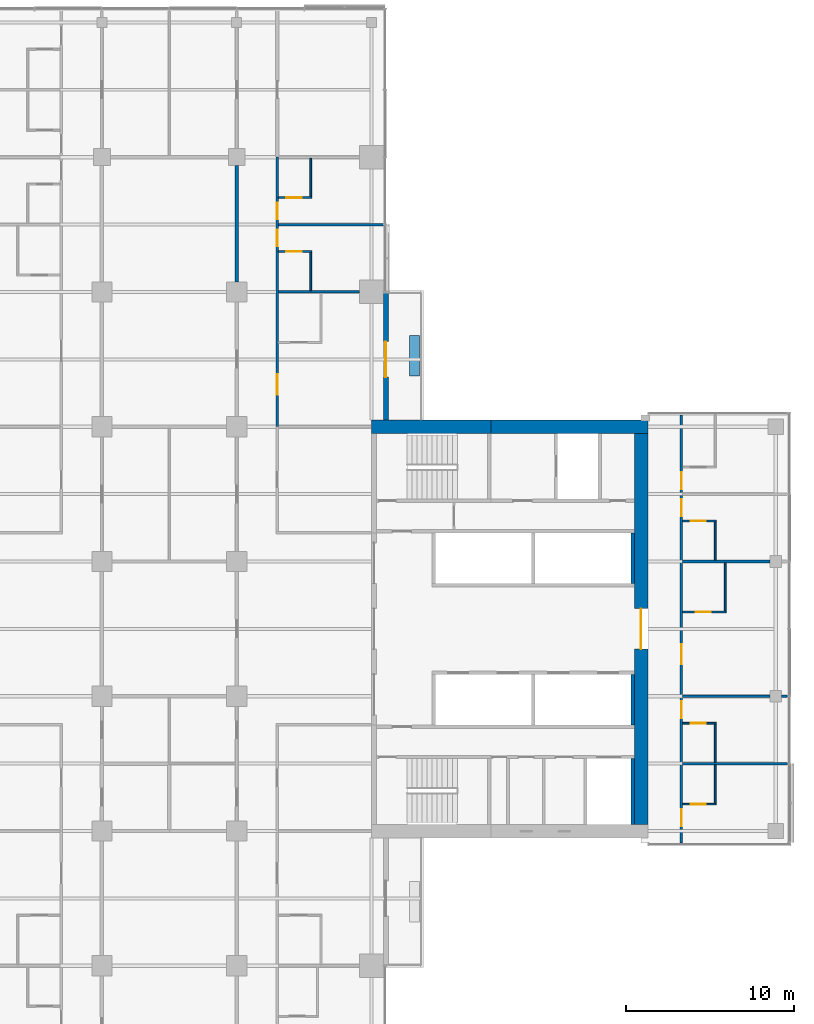
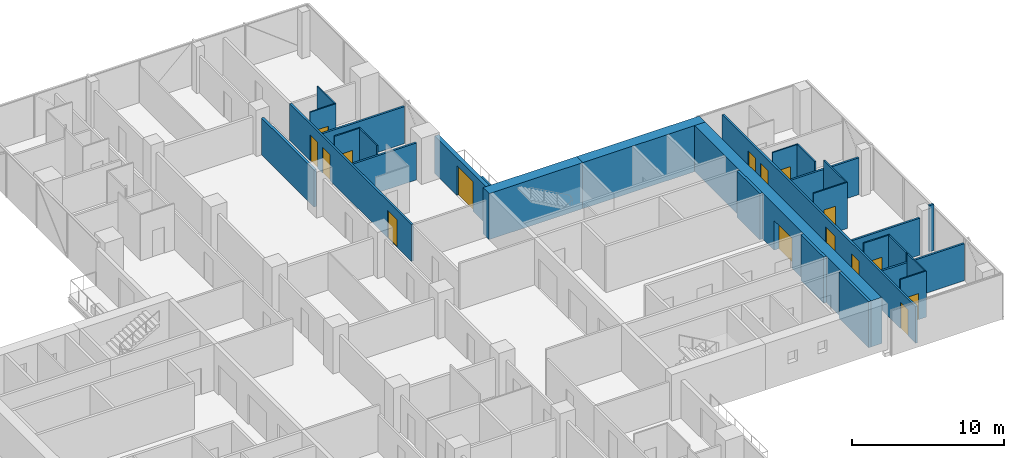
# One storey, part 21 of 27: 29 walls, 16 doors, 16 openings.
"""IFC4 building model written with IfcOpenShell, lengths in metres."""

from ifc_helpers import new_model, si_unit, direction, frame, frame_2d, origin, place, context, subcontext, project, spatial, rectangle, extrude, material, layer, layer_set, constituent, constituent_set, type_object, element, fill, save


model = new_model("IFC4")

# Units and contexts
model_context = context("Model", 3, precision=1e-05, world=origin(), true_north=direction((0.0, 1.0)))
body_context = subcontext(model_context, "Body", "Model", "MODEL_VIEW")
ifc_project = project(units=[si_unit("LENGTHUNIT", "METRE"), si_unit("AREAUNIT", "SQUARE_METRE"), si_unit("VOLUMEUNIT", "CUBIC_METRE"), si_unit("PLANEANGLEUNIT", "RADIAN"), si_unit("MASSUNIT", "GRAM", prefix="KILO")], contexts=[model_context])

# Site, building, storey
site_placement = place(None, origin())
site = spatial("IfcSite", under=ifc_project, at=site_placement, CompositionType="ELEMENT")
building_placement = place(site_placement, origin())
building = spatial("IfcBuilding", under=site, at=building_placement, Name="Crosswind Convention Tower", CompositionType="ELEMENT")
storey_placement = place(building_placement, frame((0.0, 0.0, 64.60009765625)))
storey = spatial("IfcBuildingStorey", under=building, at=storey_placement, Name="L10", CompositionType="ELEMENT", Elevation=64.60009765625)

# Wall, opening, door
ifc_material_1 = material(Name="Concrete C60/75", Category="concrete")
ifc_layer_1 = layer(ifc_material_1, 0.800048828125)
ifc_layer_set_1 = layer_set([ifc_layer_1], Name="Concrete C60/75")
wall_type_1 = type_object("IfcWallType", Name="Concrete core wall 800", PredefinedType="SHEAR", material=ifc_layer_set_1)
wall_1_placement = place(storey_placement, frame((153.0, 88.39990234375, 0.0), z_axis=(0.0, 0.0, 1.0), x_axis=(0.0, 1.0, 0.0)))
wall_1 = element("IfcWall", 1, at=wall_1_placement, inside=storey, type_object=wall_type_1, Name="Wall O E L10", PredefinedType="SHEAR", context=body_context, shape_type="SweptSolid", body=[
    extrude(rectangle(XDim=23.2001953125, YDim=0.800048828125, at=frame_2d((11.60009765625, 0.0))), origin(), (0.0, 0.0, 1.0), 3.699951171875),
])
opening_1_placement = place(wall_1_placement, frame((10.39990234375, 0.0, 0.0)))
opening_1 = element("IfcOpeningElement", 2, at=opening_1_placement, cuts=wall_1, Name="Opening D100", PredefinedType="OPENING", context=body_context, shape_type="SweptSolid", body=[
    extrude(rectangle(XDim=2.39990234375, YDim=2.39990234375, at=frame_2d((1.199951171875, 1.199951171875))), frame((0.0, 0.409912109375, 0.0), z_axis=(0.0, -1.0, 0.0), x_axis=(1.0, 0.0, 0.0)), (0.0, 0.0, 1.0), 0.820068359375),
])
ifc_material_2 = material(Name="Steel fire door with glazed vision panels", Category="steel")
door_type_1 = type_object("IfcDoorType", Name="Fire-rated double door 2400x2400", OperationType="DOUBLE_DOOR_SINGLE_SWING", PredefinedType="DOOR", material=ifc_material_2)
door_1_placement = place(opening_1_placement, origin())
door_1 = element("IfcDoor", 3, at=door_1_placement, inside=storey, type_object=door_type_1, Name="Lobby outer door L10", ObjectType="D100", OperationType="DOUBLE_DOOR_SINGLE_SWING", OverallHeight=2.39990234375, OverallWidth=2.39990234375, PredefinedType="DOOR", context=body_context, shape_type="SweptSolid", body=[
    extrude(rectangle(XDim=2.39990234375, YDim=2.39990234375, at=frame_2d((1.199951171875, 1.199951171875))), frame((0.0, 0.02490234375, 0.0), z_axis=(0.0, -1.0, 0.0), x_axis=(1.0, 0.0, 0.0)), (0.0, 0.0, 1.0), 0.050048828125),
])
fill(opening_1, door_1)

# Walls
ifc_material_3 = material(Name="Concrete C50/60", Category="concrete")
ifc_layer_2 = layer(ifc_material_3, 0.199951171875)
ifc_layer_set_2 = layer_set([ifc_layer_2], Name="Concrete C50/60")
wall_type_2 = type_object("IfcWallType", Name="Concrete shaft and stair wall 200", PredefinedType="SHEAR", material=ifc_layer_set_2)
for number, where, z_axis, x_axis, name in (
    (4, (152.5, 102.699951171875, 0.0), (0.0, 0.0, 1.0), (0.0, 1.0, 0.0), "Wall RPEAST E L10"),
    (5, (152.5, 94.300048828125, 0.0), (0.0, 0.0, 1.0), (0.0, 1.0, 0.0), "Wall RMEAST E L10"),
):
    element("IfcWall", number, at=place(storey_placement, frame(where, z_axis=z_axis, x_axis=x_axis)), inside=storey, type_object=wall_type_2, Name=name, PredefinedType="SHEAR", context=body_context, shape_type="SweptSolid", body=[
        extrude(rectangle(XDim=3.0, YDim=0.199951171875, at=frame_2d((1.5, 0.0))), origin(), (0.0, 0.0, 1.0), 3.699951171875),
    ])
wall_2_placement = place(storey_placement, frame((152.5, 88.39990234375, 0.0), z_axis=(0.0, 0.0, 1.0), x_axis=(0.0, 1.0, 0.0)))
element("IfcWall", 6, at=wall_2_placement, inside=storey, type_object=wall_type_2, Name="Wall MFSE E L10", PredefinedType="SHEAR", context=body_context, shape_type="SweptSolid", body=[
    extrude(rectangle(XDim=3.900146484375, YDim=0.199951171875, at=frame_2d((1.9501953125, 0.0))), origin(), (0.0, 0.0, 1.0), 3.699951171875),
])
ifc_material_4 = material(Name="Acoustic plasterboard partition", Category="gypsum")
ifc_layer_3 = layer(ifc_material_4, 0.14990234375)
ifc_layer_set_3 = layer_set([ifc_layer_3], Name="GUEST ROOM WALL 150")
wall_type_3 = type_object("IfcWallType", Name="GUEST ROOM WALL 150", PredefinedType="PARTITIONING", material=ifc_layer_set_3)
wall_3_placement = place(storey_placement, frame((155.47509765625, 92.0, 0.0), z_axis=(0.0, 0.0, 1.0), x_axis=(1.0, 0.0, 0.0)))
element("IfcWall", 7, at=wall_3_placement, inside=storey, type_object=wall_type_3, Name="Guest Room Wall 24", PredefinedType="PARTITIONING", context=body_context, shape_type="SweptSolid", body=[
    extrude(rectangle(XDim=6.224853515625, YDim=0.14990234375, at=frame_2d((3.1123046875, 0.0))), origin(), (0.0, 0.0, 1.0), 2.962646484375),
])
wall_4_placement = place(storey_placement, frame((155.47509765625, 96.0, 0.0), z_axis=(0.0, 0.0, 1.0), x_axis=(1.0, 0.0, 0.0)))
element("IfcWall", 8, at=wall_4_placement, inside=storey, type_object=wall_type_3, Name="Guest Room Wall 32", PredefinedType="PARTITIONING", context=body_context, shape_type="SweptSolid", body=[
    extrude(rectangle(XDim=5.1748046875, YDim=0.14990234375, at=frame_2d((2.58740234375, 0.0))), origin(), (0.0, 0.0, 1.0), 2.956298828125),
])
wall_5_placement = place(storey_placement, frame((161.35009765625, 96.0, 0.0), z_axis=(0.0, 0.0, 1.0), x_axis=(1.0, 0.0, 0.0)))
element("IfcWall", 9, at=wall_5_placement, inside=storey, type_object=wall_type_3, Name="Guest Room Wall 33", PredefinedType="PARTITIONING", context=body_context, shape_type="SweptSolid", body=[
    extrude(rectangle(XDim=0.349853515625, YDim=0.14990234375, at=frame_2d((0.1748046875, 0.0))), origin(), (0.0, 0.0, 1.0), 3.699951171875),
])
wall_6_placement = place(storey_placement, frame((155.47509765625, 104.0, 0.0), z_axis=(0.0, 0.0, 1.0), x_axis=(1.0, 0.0, 0.0)))
element("IfcWall", 10, at=wall_6_placement, inside=storey, type_object=wall_type_3, Name="Guest Room Wall 41", PredefinedType="PARTITIONING", context=body_context, shape_type="SweptSolid", body=[
    extrude(rectangle(XDim=5.1748046875, YDim=0.14990234375, at=frame_2d((2.58740234375, 0.0))), origin(), (0.0, 0.0, 1.0), 2.956298828125),
])
wall_7_placement = place(storey_placement, frame((131.47509765625, 120.0, 0.0), z_axis=(0.0, 0.0, 1.0), x_axis=(1.0, 0.0, 0.0)))
element("IfcWall", 11, at=wall_7_placement, inside=storey, type_object=wall_type_3, Name="Guest Room Wall 55", PredefinedType="PARTITIONING", context=body_context, shape_type="SweptSolid", body=[
    extrude(rectangle(XDim=4.824951171875, YDim=0.14990234375, at=frame_2d((2.41259765625, 0.0))), origin(), (0.0, 0.0, 1.0), 2.959716796875),
])
wall_8_placement = place(storey_placement, frame((131.47509765625, 124.0, 0.0), z_axis=(0.0, 0.0, 1.0), x_axis=(1.0, 0.0, 0.0)))
element("IfcWall", 12, at=wall_8_placement, inside=storey, type_object=wall_type_3, Name="Guest Room Wall 59", PredefinedType="PARTITIONING", context=body_context, shape_type="SweptSolid", body=[
    extrude(rectangle(XDim=6.224853515625, YDim=0.14990234375, at=frame_2d((3.1123046875, 0.0))), origin(), (0.0, 0.0, 1.0), 2.962646484375),
])

# Wall, openings, doors
wall_9_placement = place(storey_placement, frame((131.39990234375, 112.0, 0.0), z_axis=(0.0, 0.0, 1.0), x_axis=(0.0, 1.0, 0.0)))
wall_9 = element("IfcWall", 13, at=wall_9_placement, inside=storey, type_object=wall_type_3, Name="Guest Room Wall 118", PredefinedType="PARTITIONING", context=body_context, shape_type="SweptSolid", body=[
    extrude(rectangle(XDim=16.0, YDim=0.14990234375, at=frame_2d((8.0, 0.0))), origin(), (0.0, 0.0, 1.0), 2.956298828125),
])
opening_2_placement = place(wall_9_placement, frame((1.89990234375, 0.0, 0.0)))
opening_2 = element("IfcOpeningElement", 14, at=opening_2_placement, cuts=wall_9, Name="Opening 10.005", PredefinedType="OPENING", context=body_context, shape_type="SweptSolid", body=[
    extrude(rectangle(XDim=1.199951171875, YDim=2.199951171875, at=frame_2d((0.60009765625, 1.10009765625))), frame((0.0, 0.0849609375, 0.0), z_axis=(0.0, -1.0, 0.0), x_axis=(1.0, 0.0, 0.0)), (0.0, 0.0, 1.0), 0.169921875),
])
opening_3_placement = place(wall_9_placement, frame((10.699951171875, 0.0, 0.0)))
opening_3 = element("IfcOpeningElement", 15, at=opening_3_placement, cuts=wall_9, Name="Opening 10.007", PredefinedType="OPENING", context=body_context, shape_type="SweptSolid", body=[
    extrude(rectangle(XDim=1.0, YDim=2.10009765625, at=frame_2d((0.5, 1.050048828125))), frame((0.0, 0.0849609375, 0.0), z_axis=(0.0, -1.0, 0.0), x_axis=(1.0, 0.0, 0.0)), (0.0, 0.0, 1.0), 0.169921875),
])
opening_4_placement = place(wall_9_placement, frame((12.300048828125, 0.0, 0.0)))
opening_4 = element("IfcOpeningElement", 16, at=opening_4_placement, cuts=wall_9, Name="Opening 10.009", PredefinedType="OPENING", context=body_context, shape_type="SweptSolid", body=[
    extrude(rectangle(XDim=1.0, YDim=2.10009765625, at=frame_2d((0.5, 1.050048828125))), frame((0.0, 0.0849609375, 0.0), z_axis=(0.0, -1.0, 0.0), x_axis=(1.0, 0.0, 0.0)), (0.0, 0.0, 1.0), 0.169921875),
])
ifc_material_5 = material(Name="Timber fire door", Category="wood")
door_type_2 = type_object("IfcDoorType", Name="GUEST ROOM DOOR 1000X2100", OperationType="NOTDEFINED", PredefinedType="DOOR", material=ifc_material_5)
door_2_placement = place(opening_3_placement, frame((1.0, 0.0, 0.0), z_axis=(0.0, 0.0, 1.0), x_axis=(-1.0, 0.0, 0.0)))
door_2 = element("IfcDoor", 17, at=door_2_placement, inside=storey, type_object=door_type_2, Name="Door 10.007", ObjectType="D1", OperationType="SINGLE_SWING_LEFT", OverallHeight=2.10009765625, OverallWidth=1.0, PredefinedType="DOOR", context=body_context, shape_type="SweptSolid", body=[
    extrude(rectangle(XDim=1.0, YDim=2.10009765625, at=frame_2d((0.5, 1.050048828125))), frame((0.0, 0.02490234375, 0.0), z_axis=(0.0, -1.0, 0.0), x_axis=(1.0, 0.0, 0.0)), (0.0, 0.0, 1.0), 0.050048828125),
])
fill(opening_3, door_2)
door_3_placement = place(opening_4_placement, frame((1.0, 0.0, 0.0), z_axis=(0.0, 0.0, 1.0), x_axis=(-1.0, 0.0, 0.0)))
door_3 = element("IfcDoor", 18, at=door_3_placement, inside=storey, type_object=door_type_2, Name="Door 10.009", ObjectType="D1", OperationType="SINGLE_SWING_LEFT", OverallHeight=2.10009765625, OverallWidth=1.0, PredefinedType="DOOR", context=body_context, shape_type="SweptSolid", body=[
    extrude(rectangle(XDim=1.0, YDim=2.10009765625, at=frame_2d((0.5, 1.050048828125))), frame((0.0, 0.02490234375, 0.0), z_axis=(0.0, -1.0, 0.0), x_axis=(1.0, 0.0, 0.0)), (0.0, 0.0, 1.0), 0.050048828125),
])
fill(opening_4, door_3)
door_type_3 = type_object("IfcDoorType", Name="SUITE DOOR 1200X2200", OperationType="DOUBLE_DOOR_SINGLE_SWING", PredefinedType="DOOR", material=ifc_material_5)
door_4_placement = place(opening_2_placement, frame((1.199951171875, 0.0, 0.0), z_axis=(0.0, 0.0, 1.0), x_axis=(-1.0, 0.0, 0.0)))
door_4 = element("IfcDoor", 19, at=door_4_placement, inside=storey, type_object=door_type_3, Name="Door 10.005", ObjectType="D14", OperationType="DOUBLE_DOOR_SINGLE_SWING", OverallHeight=2.199951171875, OverallWidth=1.199951171875, PredefinedType="DOOR", context=body_context, shape_type="SweptSolid", body=[
    extrude(rectangle(XDim=1.199951171875, YDim=2.199951171875, at=frame_2d((0.60009765625, 1.10009765625))), frame((0.0, 0.02490234375, 0.0), z_axis=(0.0, -1.0, 0.0), x_axis=(1.0, 0.0, 0.0)), (0.0, 0.0, 1.0), 0.050048828125),
])
fill(opening_2, door_4)

wall_10_placement = place(storey_placement, frame((155.39990234375, 87.300048828125, 0.0), z_axis=(0.0, 0.0, 1.0), x_axis=(0.0, 1.0, 0.0)))
wall_10 = element("IfcWall", 20, at=wall_10_placement, inside=storey, type_object=wall_type_3, Name="Guest Room Wall 127", PredefinedType="PARTITIONING", context=body_context, shape_type="SweptSolid", body=[
    extrude(rectangle(XDim=25.39990234375, YDim=0.14990234375, at=frame_2d((12.699951171875, 0.0))), origin(), (0.0, 0.0, 1.0), 2.956298828125),
])
opening_5_placement = place(wall_10_placement, frame((1.0, 0.0, 0.0)))
opening_5 = element("IfcOpeningElement", 21, at=opening_5_placement, cuts=wall_10, Name="Opening 10.035", PredefinedType="OPENING", context=body_context, shape_type="SweptSolid", body=[
    extrude(rectangle(XDim=1.0, YDim=2.10009765625, at=frame_2d((0.5, 1.050048828125))), frame((0.0, 0.0849609375, 0.0), z_axis=(0.0, -1.0, 0.0), x_axis=(1.0, 0.0, 0.0)), (0.0, 0.0, 1.0), 0.169921875),
])
opening_6_placement = place(wall_10_placement, frame((7.39990234375, 0.0, 0.0)))
opening_6 = element("IfcOpeningElement", 22, at=opening_6_placement, cuts=wall_10, Name="Opening 10.037", PredefinedType="OPENING", context=body_context, shape_type="SweptSolid", body=[
    extrude(rectangle(XDim=1.0, YDim=2.10009765625, at=frame_2d((0.5, 1.050048828125))), frame((0.0, 0.0849609375, 0.0), z_axis=(0.0, -1.0, 0.0), x_axis=(1.0, 0.0, 0.0)), (0.0, 0.0, 1.0), 0.169921875),
])
opening_7_placement = place(wall_10_placement, frame((10.60009765625, 0.0, 0.0)))
opening_7 = element("IfcOpeningElement", 23, at=opening_7_placement, cuts=wall_10, Name="Opening 10.039", PredefinedType="OPENING", context=body_context, shape_type="SweptSolid", body=[
    extrude(rectangle(XDim=1.199951171875, YDim=2.199951171875, at=frame_2d((0.60009765625, 1.10009765625))), frame((0.0, 0.0849609375, 0.0), z_axis=(0.0, -1.0, 0.0), x_axis=(1.0, 0.0, 0.0)), (0.0, 0.0, 1.0), 0.169921875),
])
opening_8_placement = place(wall_10_placement, frame((19.39990234375, 0.0, 0.0)))
opening_8 = element("IfcOpeningElement", 24, at=opening_8_placement, cuts=wall_10, Name="Opening 10.041", PredefinedType="OPENING", context=body_context, shape_type="SweptSolid", body=[
    extrude(rectangle(XDim=1.0, YDim=2.10009765625, at=frame_2d((0.5, 1.050048828125))), frame((0.0, 0.0849609375, 0.0), z_axis=(0.0, -1.0, 0.0), x_axis=(1.0, 0.0, 0.0)), (0.0, 0.0, 1.0), 0.169921875),
])
opening_9_placement = place(wall_10_placement, frame((21.0, 0.0, 0.0)))
opening_9 = element("IfcOpeningElement", 25, at=opening_9_placement, cuts=wall_10, Name="Opening 10.043", PredefinedType="OPENING", context=body_context, shape_type="SweptSolid", body=[
    extrude(rectangle(XDim=1.0, YDim=2.10009765625, at=frame_2d((0.5, 1.050048828125))), frame((0.0, 0.0849609375, 0.0), z_axis=(0.0, -1.0, 0.0), x_axis=(1.0, 0.0, 0.0)), (0.0, 0.0, 1.0), 0.169921875),
])
door_5_placement = place(opening_5_placement, frame((1.0, 0.0, 0.0), z_axis=(0.0, 0.0, 1.0), x_axis=(-1.0, 0.0, 0.0)))
door_5 = element("IfcDoor", 26, at=door_5_placement, inside=storey, type_object=door_type_2, Name="Door 10.035", ObjectType="D1", OperationType="SINGLE_SWING_LEFT", OverallHeight=2.10009765625, OverallWidth=1.0, PredefinedType="DOOR", context=body_context, shape_type="SweptSolid", body=[
    extrude(rectangle(XDim=1.0, YDim=2.10009765625, at=frame_2d((0.5, 1.050048828125))), frame((0.0, 0.02490234375, 0.0), z_axis=(0.0, -1.0, 0.0), x_axis=(1.0, 0.0, 0.0)), (0.0, 0.0, 1.0), 0.050048828125),
])
fill(opening_5, door_5)
door_6_placement = place(opening_6_placement, frame((1.0, 0.0, 0.0), z_axis=(0.0, 0.0, 1.0), x_axis=(-1.0, 0.0, 0.0)))
door_6 = element("IfcDoor", 27, at=door_6_placement, inside=storey, type_object=door_type_2, Name="Door 10.037", ObjectType="D1", OperationType="SINGLE_SWING_LEFT", OverallHeight=2.10009765625, OverallWidth=1.0, PredefinedType="DOOR", context=body_context, shape_type="SweptSolid", body=[
    extrude(rectangle(XDim=1.0, YDim=2.10009765625, at=frame_2d((0.5, 1.050048828125))), frame((0.0, 0.02490234375, 0.0), z_axis=(0.0, -1.0, 0.0), x_axis=(1.0, 0.0, 0.0)), (0.0, 0.0, 1.0), 0.050048828125),
])
fill(opening_6, door_6)
door_7_placement = place(opening_8_placement, frame((1.0, 0.0, 0.0), z_axis=(0.0, 0.0, 1.0), x_axis=(-1.0, 0.0, 0.0)))
door_7 = element("IfcDoor", 28, at=door_7_placement, inside=storey, type_object=door_type_2, Name="Door 10.041", ObjectType="D1", OperationType="SINGLE_SWING_LEFT", OverallHeight=2.10009765625, OverallWidth=1.0, PredefinedType="DOOR", context=body_context, shape_type="SweptSolid", body=[
    extrude(rectangle(XDim=1.0, YDim=2.10009765625, at=frame_2d((0.5, 1.050048828125))), frame((0.0, 0.02490234375, 0.0), z_axis=(0.0, -1.0, 0.0), x_axis=(1.0, 0.0, 0.0)), (0.0, 0.0, 1.0), 0.050048828125),
])
fill(opening_8, door_7)
door_8_placement = place(opening_9_placement, frame((1.0, 0.0, 0.0), z_axis=(0.0, 0.0, 1.0), x_axis=(-1.0, 0.0, 0.0)))
door_8 = element("IfcDoor", 29, at=door_8_placement, inside=storey, type_object=door_type_2, Name="Door 10.043", ObjectType="D1", OperationType="SINGLE_SWING_LEFT", OverallHeight=2.10009765625, OverallWidth=1.0, PredefinedType="DOOR", context=body_context, shape_type="SweptSolid", body=[
    extrude(rectangle(XDim=1.0, YDim=2.10009765625, at=frame_2d((0.5, 1.050048828125))), frame((0.0, 0.02490234375, 0.0), z_axis=(0.0, -1.0, 0.0), x_axis=(1.0, 0.0, 0.0)), (0.0, 0.0, 1.0), 0.050048828125),
])
fill(opening_9, door_8)
door_9_placement = place(opening_7_placement, frame((1.199951171875, 0.0, 0.0), z_axis=(0.0, 0.0, 1.0), x_axis=(-1.0, 0.0, 0.0)))
door_9 = element("IfcDoor", 30, at=door_9_placement, inside=storey, type_object=door_type_3, Name="Door 10.039", ObjectType="D14", OperationType="DOUBLE_DOOR_SINGLE_SWING", OverallHeight=2.199951171875, OverallWidth=1.199951171875, PredefinedType="DOOR", context=body_context, shape_type="SweptSolid", body=[
    extrude(rectangle(XDim=1.199951171875, YDim=2.199951171875, at=frame_2d((0.60009765625, 1.10009765625))), frame((0.0, 0.02490234375, 0.0), z_axis=(0.0, -1.0, 0.0), x_axis=(1.0, 0.0, 0.0)), (0.0, 0.0, 1.0), 0.050048828125),
])
fill(opening_7, door_9)

# Walls
ifc_material_6 = material(Name="Double plasterboard partition", Category="gypsum")
ifc_layer_4 = layer(ifc_material_6, 0.199951171875)
ifc_layer_set_4 = layer_set([ifc_layer_4], Name="HALL WALL 200")
wall_type_4 = type_object("IfcWallType", Name="HALL WALL 200", PredefinedType="PARTITIONING", material=ifc_layer_set_4)
wall_11_placement = place(storey_placement, frame((129.0, 120.60009765625, 0.0), z_axis=(0.0, 0.0, 1.0), x_axis=(0.0, 1.0, 0.0)))
element("IfcWall", 31, at=wall_11_placement, inside=storey, type_object=wall_type_4, Name="Hall Wall 112", PredefinedType="PARTITIONING", context=body_context, shape_type="SweptSolid", body=[
    extrude(rectangle(XDim=6.89990234375, YDim=0.199951171875, at=frame_2d((3.449951171875, 0.0))), origin(), (0.0, 0.0, 1.0), 2.959716796875),
])
ifc_material_7 = material(Name="Concrete C30/37", Category="concrete")
ifc_layer_5 = layer(ifc_material_7, 0.60009765625)
ifc_layer_set_5 = layer_set([ifc_layer_5], Name="Concrete C30/37")
wall_type_5 = type_object("IfcWallType", Name="PLANTER BOX WALL 600", PredefinedType="SOLIDWALL", material=ifc_layer_set_5)
wall_12_placement = place(storey_placement, frame((139.550048828125, 115.0, 0.0), z_axis=(0.0, 0.0, 1.0), x_axis=(0.0, 1.0, 0.0)))
element("IfcWall", 32, at=wall_12_placement, inside=storey, type_object=wall_type_5, Name="PLANTER L10 N-E.1-1", PredefinedType="SOLIDWALL", context=body_context, shape_type="SweptSolid", body=[
    extrude(rectangle(XDim=2.39990234375, YDim=0.60009765625, at=frame_2d((1.199951171875, 0.0))), origin(), (0.0, 0.0, 1.0), 0.599853515625),
])

# Wall, opening, door
ifc_material_8 = material(Name="Terracotta rainscreen", Category="ceramic")
ifc_layer_6 = layer(ifc_material_8, 0.02001953125)
ifc_material_9 = material(Name="Mineral wool insulation", Category="insulation")
ifc_layer_7 = layer(ifc_material_9, 0.10009765625)
ifc_material_10 = material(Name="Concrete blockwork", Category="masonry")
ifc_layer_8 = layer(ifc_material_10, 0.179931640625)
ifc_layer_set_6 = layer_set([ifc_layer_6, ifc_layer_7, ifc_layer_8], Name="TERRACOTTA INFILL WALL 300")
wall_type_6 = type_object("IfcWallType", Name="TERRACOTTA INFILL WALL 300", PredefinedType="SOLIDWALL", material=ifc_layer_set_6)
wall_13_placement = place(storey_placement, frame((137.85009765625, 112.39990234375, 0.0), z_axis=(0.0, 0.0, 1.0), x_axis=(0.0, 1.0, 0.0)))
wall_13 = element("IfcWall", 33, at=wall_13_placement, inside=storey, type_object=wall_type_6, Name="Notch front wall L10 N-E.1-1", PredefinedType="SOLIDWALL", context=body_context, shape_type="SweptSolid", body=[
    extrude(rectangle(XDim=7.567626953125, YDim=0.300048828125, at=frame_2d((3.78369140625, 0.0))), origin(), (0.0, 0.0, 1.0), 3.013427734375),
])
opening_10_placement = place(wall_13_placement, frame((2.550048828125, 0.0, 0.0)))
opening_10 = element("IfcOpeningElement", 34, at=opening_10_placement, cuts=wall_13, Name="Opening D141", PredefinedType="OPENING", context=body_context, shape_type="SweptSolid", body=[
    extrude(rectangle(XDim=2.10009765625, YDim=2.39990234375, at=frame_2d((1.050048828125, 1.199951171875))), frame((0.0, 0.159912109375, 0.0), z_axis=(0.0, -1.0, 0.0), x_axis=(1.0, 0.0, 0.0)), (0.0, 0.0, 1.0), 0.320068359375),
])
ifc_material_11 = material(Name="Aluminium glazed door", Category="aluminium")
door_type_4 = type_object("IfcDoorType", Name="BALCONY SLIDING DOOR 2100X2400", OperationType="SLIDING_TO_LEFT", PredefinedType="DOOR", material=ifc_material_11)
door_10_placement = place(opening_10_placement, frame((2.10009765625, 0.0, 0.0), z_axis=(0.0, 0.0, 1.0), x_axis=(-1.0, 0.0, 0.0)))
door_10 = element("IfcDoor", 35, at=door_10_placement, inside=storey, type_object=door_type_4, Name="D141 balcony door L10 N-E.1-1", ObjectType="D141", OperationType="SLIDING_TO_LEFT", OverallHeight=2.39990234375, OverallWidth=2.10009765625, PredefinedType="DOOR", context=body_context, shape_type="SweptSolid", body=[
    extrude(rectangle(XDim=2.10009765625, YDim=2.39990234375, at=frame_2d((1.050048828125, 1.199951171875))), frame((0.0, 0.02490234375, 0.0), z_axis=(0.0, -1.0, 0.0), x_axis=(1.0, 0.0, 0.0)), (0.0, 0.0, 1.0), 0.050048828125),
])
fill(opening_10, door_10)

# Walls
ifc_constituent_1 = constituent(ifc_material_1, Name="Structure")
ifc_constituent_2 = constituent(ifc_material_8, Name="Facing")
ifc_constituent_set = constituent_set(constituents=[ifc_constituent_1, ifc_constituent_2], Name="Concrete C60/75, Terracotta rainscreen")
wall_type_7 = type_object("IfcWallType", Name="Terracotta rainscreen on concrete core wall 800", PredefinedType="SHEAR", material=ifc_constituent_set)
wall_14_placement = place(storey_placement, frame((137.0, 112.0, 0.0), z_axis=(0.0, 0.0, 1.0), x_axis=(1.0, 0.0, 0.0)))
element("IfcWall", 36, at=wall_14_placement, inside=storey, type_object=wall_type_7, Name="Wall N1 E L10", PredefinedType="SHEAR", context=body_context, shape_type="SweptSolid", body=[
    extrude(rectangle(XDim=7.10009765625, YDim=0.800048828125, at=frame_2d((3.550048828125, 0.0))), origin(), (0.0, 0.0, 1.0), 3.699951171875),
])
wall_15_placement = place(storey_placement, frame((144.10009765625, 112.0, 0.0), z_axis=(0.0, 0.0, 1.0), x_axis=(1.0, 0.0, 0.0)))
element("IfcWall", 37, at=wall_15_placement, inside=storey, type_object=wall_type_7, Name="Wall N2 E L10", PredefinedType="SHEAR", context=body_context, shape_type="SweptSolid", body=[
    extrude(rectangle(XDim=9.2998046875, YDim=0.800048828125, at=frame_2d((4.64990234375, 0.0))), origin(), (0.0, 0.0, 1.0), 3.699951171875),
])

# Wall, opening, door
ifc_material_12 = material(Name="Water-resistant plasterboard partition", Category="gypsum")
ifc_layer_9 = layer(ifc_material_12, 0.10009765625)
ifc_layer_set_7 = layer_set([ifc_layer_9], Name="WET ROOM PARTITION 100")
wall_type_8 = type_object("IfcWallType", Name="WET ROOM PARTITION 100", PredefinedType="PLUMBINGWALL", material=ifc_layer_set_7)
wall_16_placement = place(storey_placement, frame((155.47509765625, 89.60009765625, 0.0), z_axis=(0.0, 0.0, 1.0), x_axis=(1.0, 0.0, 0.0)))
wall_16 = element("IfcWall", 38, at=wall_16_placement, inside=storey, type_object=wall_type_8, Name="Wet Room Partition 20", PredefinedType="PLUMBINGWALL", context=body_context, shape_type="SweptSolid", body=[
    extrude(rectangle(XDim=1.974853515625, YDim=0.10009765625, at=frame_2d((0.9873046875, 0.0))), origin(), (0.0, 0.0, 1.0), 3.699951171875),
])
opening_11_placement = place(wall_16_placement, frame((0.47509765625, 0.0, 0.0)))
opening_11 = element("IfcOpeningElement", 39, at=opening_11_placement, cuts=wall_16, Name="Opening 10.036", PredefinedType="OPENING", context=body_context, shape_type="SweptSolid", body=[
    extrude(rectangle(XDim=0.89990234375, YDim=2.10009765625, at=frame_2d((0.449951171875, 1.050048828125))), frame((0.0, 0.06005859375, 0.0), z_axis=(0.0, -1.0, 0.0), x_axis=(1.0, 0.0, 0.0)), (0.0, 0.0, 1.0), 0.1201171875),
])
ifc_material_13 = material(Name="Timber door", Category="wood")
door_type_5 = type_object("IfcDoorType", Name="EN-SUITE DOOR 900X2100", OperationType="NOTDEFINED", PredefinedType="DOOR", material=ifc_material_13)
door_11_placement = place(opening_11_placement, origin())
door_11 = element("IfcDoor", 40, at=door_11_placement, inside=storey, type_object=door_type_5, Name="Door 10.036", ObjectType="D2", OperationType="SINGLE_SWING_RIGHT", OverallHeight=2.10009765625, OverallWidth=0.89990234375, PredefinedType="DOOR", context=body_context, shape_type="SweptSolid", body=[
    extrude(rectangle(XDim=0.89990234375, YDim=2.10009765625, at=frame_2d((0.449951171875, 1.050048828125))), frame((0.0, 0.02490234375, 0.0), z_axis=(0.0, -1.0, 0.0), x_axis=(1.0, 0.0, 0.0)), (0.0, 0.0, 1.0), 0.050048828125),
])
fill(opening_11, door_11)

wall_17_placement = place(storey_placement, frame((155.47509765625, 94.39990234375, 0.0), z_axis=(0.0, 0.0, 1.0), x_axis=(1.0, 0.0, 0.0)))
wall_17 = element("IfcWall", 41, at=wall_17_placement, inside=storey, type_object=wall_type_8, Name="Wet Room Partition 28", PredefinedType="PLUMBINGWALL", context=body_context, shape_type="SweptSolid", body=[
    extrude(rectangle(XDim=1.974853515625, YDim=0.10009765625, at=frame_2d((0.9873046875, 0.0))), origin(), (0.0, 0.0, 1.0), 3.699951171875),
])
opening_12_placement = place(wall_17_placement, frame((0.47509765625, 0.0, 0.0)))
opening_12 = element("IfcOpeningElement", 42, at=opening_12_placement, cuts=wall_17, Name="Opening 10.038", PredefinedType="OPENING", context=body_context, shape_type="SweptSolid", body=[
    extrude(rectangle(XDim=0.89990234375, YDim=2.10009765625, at=frame_2d((0.449951171875, 1.050048828125))), frame((0.0, 0.06005859375, 0.0), z_axis=(0.0, -1.0, 0.0), x_axis=(1.0, 0.0, 0.0)), (0.0, 0.0, 1.0), 0.1201171875),
])
door_12_placement = place(opening_12_placement, frame((0.89990234375, 0.0, 0.0), z_axis=(0.0, 0.0, 1.0), x_axis=(-1.0, 0.0, 0.0)))
door_12 = element("IfcDoor", 43, at=door_12_placement, inside=storey, type_object=door_type_5, Name="Door 10.038", ObjectType="D2", OperationType="SINGLE_SWING_LEFT", OverallHeight=2.10009765625, OverallWidth=0.89990234375, PredefinedType="DOOR", context=body_context, shape_type="SweptSolid", body=[
    extrude(rectangle(XDim=0.89990234375, YDim=2.10009765625, at=frame_2d((0.449951171875, 1.050048828125))), frame((0.0, 0.02490234375, 0.0), z_axis=(0.0, -1.0, 0.0), x_axis=(1.0, 0.0, 0.0)), (0.0, 0.0, 1.0), 0.050048828125),
])
fill(opening_12, door_12)

wall_18_placement = place(storey_placement, frame((155.47509765625, 101.0, 0.0), z_axis=(0.0, 0.0, 1.0), x_axis=(1.0, 0.0, 0.0)))
wall_18 = element("IfcWall", 44, at=wall_18_placement, inside=storey, type_object=wall_type_8, Name="Wet Room Partition 36", PredefinedType="PLUMBINGWALL", context=body_context, shape_type="SweptSolid", body=[
    extrude(rectangle(XDim=2.574951171875, YDim=0.10009765625, at=frame_2d((1.28759765625, 0.0))), origin(), (0.0, 0.0, 1.0), 3.699951171875),
])
opening_13_placement = place(wall_18_placement, frame((0.77490234375, 0.0, 0.0)))
opening_13 = element("IfcOpeningElement", 45, at=opening_13_placement, cuts=wall_18, Name="Opening 10.040", PredefinedType="OPENING", context=body_context, shape_type="SweptSolid", body=[
    extrude(rectangle(XDim=0.89990234375, YDim=2.10009765625, at=frame_2d((0.449951171875, 1.050048828125))), frame((0.0, 0.06005859375, 0.0), z_axis=(0.0, -1.0, 0.0), x_axis=(1.0, 0.0, 0.0)), (0.0, 0.0, 1.0), 0.1201171875),
])
door_13_placement = place(opening_13_placement, origin())
door_13 = element("IfcDoor", 46, at=door_13_placement, inside=storey, type_object=door_type_5, Name="Door 10.040", ObjectType="D2", OperationType="SINGLE_SWING_RIGHT", OverallHeight=2.10009765625, OverallWidth=0.89990234375, PredefinedType="DOOR", context=body_context, shape_type="SweptSolid", body=[
    extrude(rectangle(XDim=0.89990234375, YDim=2.10009765625, at=frame_2d((0.449951171875, 1.050048828125))), frame((0.0, 0.02490234375, 0.0), z_axis=(0.0, -1.0, 0.0), x_axis=(1.0, 0.0, 0.0)), (0.0, 0.0, 1.0), 0.050048828125),
])
fill(opening_13, door_13)

wall_19_placement = place(storey_placement, frame((155.47509765625, 106.39990234375, 0.0), z_axis=(0.0, 0.0, 1.0), x_axis=(1.0, 0.0, 0.0)))
wall_19 = element("IfcWall", 47, at=wall_19_placement, inside=storey, type_object=wall_type_8, Name="Wet Room Partition 46", PredefinedType="PLUMBINGWALL", context=body_context, shape_type="SweptSolid", body=[
    extrude(rectangle(XDim=1.974853515625, YDim=0.10009765625, at=frame_2d((0.9873046875, 0.0))), origin(), (0.0, 0.0, 1.0), 3.699951171875),
])
opening_14_placement = place(wall_19_placement, frame((0.47509765625, 0.0, 0.0)))
opening_14 = element("IfcOpeningElement", 48, at=opening_14_placement, cuts=wall_19, Name="Opening 10.042", PredefinedType="OPENING", context=body_context, shape_type="SweptSolid", body=[
    extrude(rectangle(XDim=0.89990234375, YDim=2.10009765625, at=frame_2d((0.449951171875, 1.050048828125))), frame((0.0, 0.06005859375, 0.0), z_axis=(0.0, -1.0, 0.0), x_axis=(1.0, 0.0, 0.0)), (0.0, 0.0, 1.0), 0.1201171875),
])
door_14_placement = place(opening_14_placement, frame((0.89990234375, 0.0, 0.0), z_axis=(0.0, 0.0, 1.0), x_axis=(-1.0, 0.0, 0.0)))
door_14 = element("IfcDoor", 49, at=door_14_placement, inside=storey, type_object=door_type_5, Name="Door 10.042", ObjectType="D2", OperationType="SINGLE_SWING_LEFT", OverallHeight=2.10009765625, OverallWidth=0.89990234375, PredefinedType="DOOR", context=body_context, shape_type="SweptSolid", body=[
    extrude(rectangle(XDim=0.89990234375, YDim=2.10009765625, at=frame_2d((0.449951171875, 1.050048828125))), frame((0.0, 0.02490234375, 0.0), z_axis=(0.0, -1.0, 0.0), x_axis=(1.0, 0.0, 0.0)), (0.0, 0.0, 1.0), 0.050048828125),
])
fill(opening_14, door_14)

wall_20_placement = place(storey_placement, frame((131.47509765625, 122.39990234375, 0.0), z_axis=(0.0, 0.0, 1.0), x_axis=(1.0, 0.0, 0.0)))
wall_20 = element("IfcWall", 50, at=wall_20_placement, inside=storey, type_object=wall_type_8, Name="Wet Room Partition 57", PredefinedType="PLUMBINGWALL", context=body_context, shape_type="SweptSolid", body=[
    extrude(rectangle(XDim=1.974853515625, YDim=0.10009765625, at=frame_2d((0.9873046875, 0.0))), origin(), (0.0, 0.0, 1.0), 3.699951171875),
])
opening_15_placement = place(wall_20_placement, frame((0.47509765625, 0.0, 0.0)))
opening_15 = element("IfcOpeningElement", 51, at=opening_15_placement, cuts=wall_20, Name="Opening 10.008", PredefinedType="OPENING", context=body_context, shape_type="SweptSolid", body=[
    extrude(rectangle(XDim=0.89990234375, YDim=2.10009765625, at=frame_2d((0.449951171875, 1.050048828125))), frame((0.0, 0.06005859375, 0.0), z_axis=(0.0, -1.0, 0.0), x_axis=(1.0, 0.0, 0.0)), (0.0, 0.0, 1.0), 0.1201171875),
])
door_15_placement = place(opening_15_placement, frame((0.89990234375, 0.0, 0.0), z_axis=(0.0, 0.0, 1.0), x_axis=(-1.0, 0.0, 0.0)))
door_15 = element("IfcDoor", 52, at=door_15_placement, inside=storey, type_object=door_type_5, Name="Door 10.008", ObjectType="D2", OperationType="SINGLE_SWING_LEFT", OverallHeight=2.10009765625, OverallWidth=0.89990234375, PredefinedType="DOOR", context=body_context, shape_type="SweptSolid", body=[
    extrude(rectangle(XDim=0.89990234375, YDim=2.10009765625, at=frame_2d((0.449951171875, 1.050048828125))), frame((0.0, 0.02490234375, 0.0), z_axis=(0.0, -1.0, 0.0), x_axis=(1.0, 0.0, 0.0)), (0.0, 0.0, 1.0), 0.050048828125),
])
fill(opening_15, door_15)

wall_21_placement = place(storey_placement, frame((131.47509765625, 125.60009765625, 0.0), z_axis=(0.0, 0.0, 1.0), x_axis=(1.0, 0.0, 0.0)))
wall_21 = element("IfcWall", 53, at=wall_21_placement, inside=storey, type_object=wall_type_8, Name="Wet Room Partition 60", PredefinedType="PLUMBINGWALL", context=body_context, shape_type="SweptSolid", body=[
    extrude(rectangle(XDim=1.974853515625, YDim=0.10009765625, at=frame_2d((0.9873046875, 0.0))), origin(), (0.0, 0.0, 1.0), 3.699951171875),
])
opening_16_placement = place(wall_21_placement, frame((0.47509765625, 0.0, 0.0)))
opening_16 = element("IfcOpeningElement", 54, at=opening_16_placement, cuts=wall_21, Name="Opening 10.010", PredefinedType="OPENING", context=body_context, shape_type="SweptSolid", body=[
    extrude(rectangle(XDim=0.89990234375, YDim=2.10009765625, at=frame_2d((0.449951171875, 1.050048828125))), frame((0.0, 0.06005859375, 0.0), z_axis=(0.0, -1.0, 0.0), x_axis=(1.0, 0.0, 0.0)), (0.0, 0.0, 1.0), 0.1201171875),
])
door_16_placement = place(opening_16_placement, origin())
door_16 = element("IfcDoor", 55, at=door_16_placement, inside=storey, type_object=door_type_5, Name="Door 10.010", ObjectType="D2", OperationType="SINGLE_SWING_RIGHT", OverallHeight=2.10009765625, OverallWidth=0.89990234375, PredefinedType="DOOR", context=body_context, shape_type="SweptSolid", body=[
    extrude(rectangle(XDim=0.89990234375, YDim=2.10009765625, at=frame_2d((0.449951171875, 1.050048828125))), frame((0.0, 0.02490234375, 0.0), z_axis=(0.0, -1.0, 0.0), x_axis=(1.0, 0.0, 0.0)), (0.0, 0.0, 1.0), 0.050048828125),
])
fill(opening_16, door_16)

# Walls
for number, where, z_axis, x_axis, name in (
    (56, (133.39990234375, 120.074951171875, 0.0), (0.0, 0.0, 1.0), (0.0, 1.0, 0.0), "Wet Room Partition 122"),
    (57, (133.39990234375, 125.64990234375, 0.0), (0.0, 0.0, 1.0), (0.0, 1.0, 0.0), "Wet Room Partition 123"),
    (58, (157.39990234375, 89.64990234375, 0.0), (0.0, 0.0, 1.0), (0.0, 1.0, 0.0), "Wet Room Partition 128"),
    (59, (157.39990234375, 92.074951171875, 0.0), (0.0, 0.0, 1.0), (0.0, 1.0, 0.0), "Wet Room Partition 129"),
    (60, (157.39990234375, 104.074951171875, 0.0), (0.0, 0.0, 1.0), (0.0, 1.0, 0.0), "Wet Room Partition 130"),
):
    element("IfcWall", number, at=place(storey_placement, frame(where, z_axis=z_axis, x_axis=x_axis)), inside=storey, type_object=wall_type_8, Name=name, PredefinedType="PLUMBINGWALL", context=body_context, shape_type="SweptSolid", body=[
        extrude(rectangle(XDim=2.275146484375, YDim=0.10009765625, at=frame_2d((1.1376953125, 0.0))), origin(), (0.0, 0.0, 1.0), 3.699951171875),
    ])
wall_22_placement = place(storey_placement, frame((158.0, 101.050048828125, 0.0), z_axis=(0.0, 0.0, 1.0), x_axis=(0.0, 1.0, 0.0)))
element("IfcWall", 61, at=wall_22_placement, inside=storey, type_object=wall_type_8, Name="Wet Room Partition 132", PredefinedType="PLUMBINGWALL", context=body_context, shape_type="SweptSolid", body=[
    extrude(rectangle(XDim=2.875, YDim=0.10009765625, at=frame_2d((1.4375, 0.0))), origin(), (0.0, 0.0, 1.0), 3.699951171875),
])

save(model, "model.ifc")
